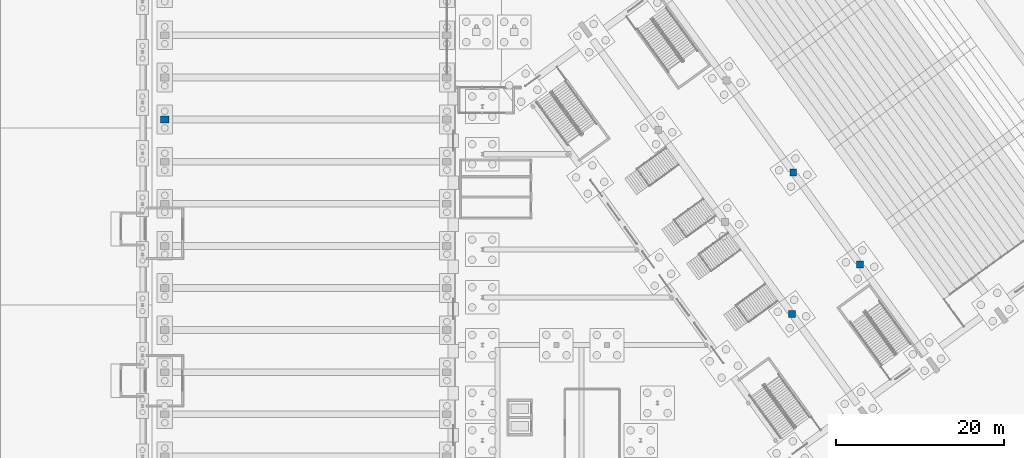
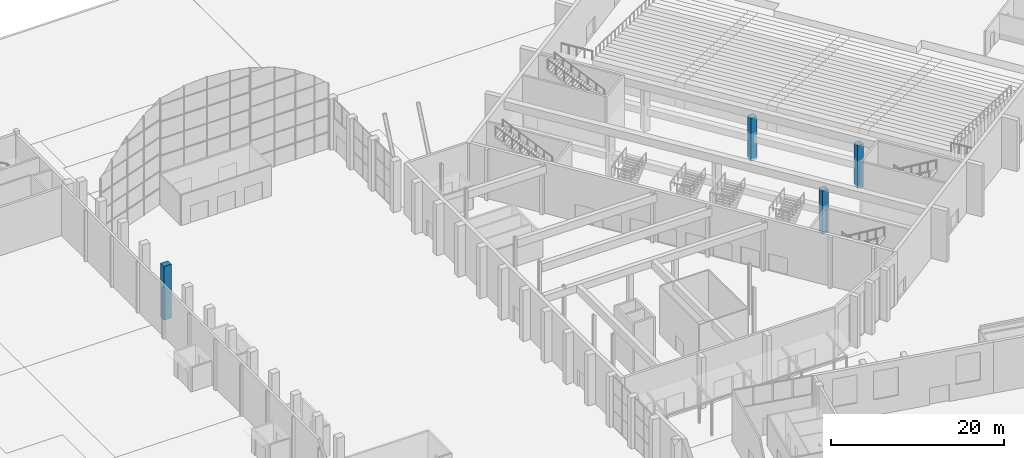
# One storey, part 43 of 239: 4 columns.
"""IFC4 building model written with IfcOpenShell, lengths in metres."""

import ifcopenshell
import ifcopenshell.guid

model = None  # the IFC model being written
_history = None  # IfcOwnerHistory: only IFC2X3 demands one
_inside = {}  # id of a spatial element -> (the spatial element, [elements in it])
_under = {}  # id of a project, library or spatial element -> (it, [spatial elements below it])
_declared = {}  # id of a project -> (the project, [libraries it declares])
_typed = {}  # id of a type object -> (the type object, [elements of that type])
_made_of = {}  # id of a material, layer set ... -> (it, [elements and type objects made of it])


def new_model(schema):
    """Start an empty IFC model of exactly this schema.

    Asked for "IFC4X3", IfcOpenShell would pick the latest addendum, in which some entities
    have other attributes; the version numbers below select the first issue.
    IFC2X3 requires an IfcOwnerHistory on every rooted entity: one is made here for all.
    """
    global model, _history
    if schema == "IFC4X3":
        model = ifcopenshell.file(schema_version=(4, 3, 0, 0))
    else:
        model = ifcopenshell.file(schema=schema)
    _inside.clear()
    _under.clear()
    _declared.clear()
    _typed.clear()
    _made_of.clear()
    _history = None
    if model.schema == "IFC2X3":
        org = make("IfcOrganization", Name="unknown")
        user = make(
            "IfcPersonAndOrganization",
            ThePerson=make("IfcPerson", FamilyName="unknown"),
            TheOrganization=org,
        )
        app = make(
            "IfcApplication",
            ApplicationDeveloper=org,
            Version="unknown",
            ApplicationFullName="unknown",
            ApplicationIdentifier="unknown",
        )
        _history = make(
            "IfcOwnerHistory",
            OwningUser=user,
            OwningApplication=app,
            ChangeAction="ADDED",
            CreationDate=0,
        )
    return model


def make(cls, **values):
    """One entity of the class cls with the attributes given. An attribute that is None is left unset."""
    return model.create_entity(
        cls, **{name: value for name, value in values.items() if value is not None}
    )


def rooted(cls, **values):
    """An entity with a GlobalId (a new one), such as an element, a storey or a relation."""
    return make(cls, GlobalId=ifcopenshell.guid.new(), OwnerHistory=_history, **values)


def si_unit(unit_type, name, prefix=None):
    """IfcSIUnit, for example si_unit("LENGTHUNIT", "METRE", prefix="MILLI")."""
    return make("IfcSIUnit", UnitType=unit_type, Prefix=prefix, Name=name)


def assignment(units):
    """IfcUnitAssignment: the units of a project."""
    return None if units is None else make("IfcUnitAssignment", Units=units)


def point(xyz):
    """IfcCartesianPoint."""
    return None if xyz is None else make("IfcCartesianPoint", Coordinates=xyz)


def direction(xyz):
    """IfcDirection."""
    return None if xyz is None else make("IfcDirection", DirectionRatios=xyz)


def frame(location, z_axis=None, x_axis=None):
    """IfcAxis2Placement3D, a coordinate frame: its origin and axes. An axis left out is left unset."""
    return make(
        "IfcAxis2Placement3D",
        Location=point(location),
        Axis=direction(z_axis),
        RefDirection=direction(x_axis),
    )


def frame_2d(location, x_axis=None):
    """IfcAxis2Placement2D, a coordinate frame in the plane: its origin and x axis."""
    return make(
        "IfcAxis2Placement2D", Location=point(location), RefDirection=direction(x_axis)
    )


def origin():
    """The frame at (0, 0, 0) with its axes left unset."""
    return frame((0.0, 0.0, 0.0))


def origin_2d():
    """The frame at (0, 0) in the plane with its x axis left unset."""
    return frame_2d((0.0, 0.0))


def place(relative_to, where):
    """IfcLocalPlacement: puts the frame where relative to a parent placement (None: the world)."""
    return make(
        "IfcLocalPlacement", PlacementRelTo=relative_to, RelativePlacement=where
    )


def context(
    kind, dimensions, precision=None, world=None, true_north=None, identifier=None
):
    """IfcGeometricRepresentationContext, for example the 3D "Model" context."""
    return make(
        "IfcGeometricRepresentationContext",
        ContextIdentifier=identifier,
        ContextType=kind,
        CoordinateSpaceDimension=dimensions,
        Precision=precision,
        WorldCoordinateSystem=world,
        TrueNorth=true_north,
    )


def subcontext(parent, identifier, kind, view, scale=None):
    """IfcGeometricRepresentationSubContext, for example "Body" below "Model"."""
    return make(
        "IfcGeometricRepresentationSubContext",
        ContextIdentifier=identifier,
        ContextType=kind,
        ParentContext=parent,
        TargetScale=scale,
        TargetView=view,
    )


def project(units=None, contexts=None):
    """IfcProject with its units and contexts."""
    return rooted(
        "IfcProject",
        Name="project",
        RepresentationContexts=contexts,
        UnitsInContext=assignment(units),
    )


def spatial(cls, under=None, at=None, **own):
    """A site, building, storey or space (cls), placed at a placement, below another one or the project."""
    s = rooted(cls, ObjectPlacement=at, **own)
    if under is not None:
        _under.setdefault(under.id(), (under, []))[1].append(s)
    return s


def profile(cls, at=None, kind="AREA", **sizes):
    """A parametric profile (cls). Its sizes go by their IFC names, for example OverallWidth=200.0."""
    return make(cls, ProfileType=kind, Position=at, **sizes)


def rectangle(**sizes):
    """IfcRectangleProfileDef."""
    return profile("IfcRectangleProfileDef", **sizes)


def extrude(swept, where, along, depth):
    """IfcExtrudedAreaSolid: the profile swept, set in the frame where, extruded along a direction by depth."""
    return make(
        "IfcExtrudedAreaSolid",
        SweptArea=swept,
        Position=where,
        ExtrudedDirection=direction(along),
        Depth=depth,
    )


def shape(context_of_items, identifier, shape_type, items):
    """IfcShapeRepresentation: the items that make up one representation, for example the "Body"."""
    return make(
        "IfcShapeRepresentation",
        ContextOfItems=context_of_items,
        RepresentationIdentifier=identifier,
        RepresentationType=shape_type,
        Items=items,
    )


def material(Name=None, Category=None):
    """IfcMaterial."""
    return make("IfcMaterial", Name=Name, Category=Category)


def material_profile(
    of_material, cross_section, Name=None, Category=None, Priority=None
):
    """IfcMaterialProfile: a cross section and its material."""
    return make(
        "IfcMaterialProfile",
        Name=Name,
        Material=of_material,
        Profile=cross_section,
        Priority=Priority,
        Category=Category,
    )


def profile_set(profiles, Name=None, composite=None):
    """IfcMaterialProfileSet."""
    return make(
        "IfcMaterialProfileSet",
        Name=Name,
        MaterialProfiles=profiles,
        CompositeProfile=composite,
    )


def made_of(thing, what):
    """Note that an element or type object is made of a material, layer set ...; save() writes the relation."""
    if what is not None:
        _made_of.setdefault(what.id(), (what, []))[1].append(thing)
    return thing


def type_object(cls, material=None, **own):
    """A type object (cls), such as IfcWallType, which elements share."""
    return made_of(rooted(cls, **own), material)


def element(
    cls,
    number,
    at=None,
    inside=None,
    cuts=None,
    type_object=None,
    material=None,
    context=None,
    identifier="Body",
    shape_type=None,
    held_by="IfcProductDefinitionShape",
    body=None,
    shapes=None,
    **own,
):
    """One element of the class cls, such as IfcWall. Its Tag is "e" and its number.

    at: its placement. inside: the storey or other place that contains it. cuts: it is an
    opening in that element (IfcRelVoidsElement). A single representation is given by context,
    identifier, shape_type and body (its items); several are given by shapes. held_by: the class
    of the entity that holds the representations. save() writes the other relations.
    """
    e = rooted(cls, Tag="e%d" % number, ObjectPlacement=at, **own)
    if body is not None:
        shapes = [shape(context, identifier, shape_type, body)]
    if shapes is not None:
        e.Representation = make(held_by, Representations=shapes)
    if inside is not None:
        _inside.setdefault(inside.id(), (inside, []))[1].append(e)
    if cuts is not None:
        rooted(
            "IfcRelVoidsElement", RelatingBuildingElement=cuts, RelatedOpeningElement=e
        )
    if type_object is not None:
        _typed.setdefault(type_object.id(), (type_object, []))[1].append(e)
    return made_of(e, material)


def aggregate(whole, parts):
    """IfcRelAggregates: a whole, such as a stair, and the parts it consists of."""
    return rooted("IfcRelAggregates", RelatingObject=whole, RelatedObjects=parts)


def save(model, path):
    """Write the relations noted so far, then the file.

    IfcRelAggregates (storeys below a building ...), IfcRelContainedInSpatialStructure (elements
    in a storey), IfcRelDefinesByType, IfcRelAssociatesMaterial and IfcRelDeclares: one each for
    every whole, place, type object, material and project.
    """
    for whole, parts in _under.values():
        aggregate(whole, parts)
    for where, things in _inside.values():
        rooted(
            "IfcRelContainedInSpatialStructure",
            RelatedElements=things,
            RelatingStructure=where,
        )
    for kind, things in _typed.values():
        rooted("IfcRelDefinesByType", RelatedObjects=things, RelatingType=kind)
    for what, things in _made_of.values():
        rooted("IfcRelAssociatesMaterial", RelatedObjects=things, RelatingMaterial=what)
    for by, libraries in _declared.values():
        rooted("IfcRelDeclares", RelatingContext=by, RelatedDefinitions=libraries)
    model.write(path)


model = new_model("IFC4")

# Units and contexts
model_context = context("Model", 3, precision=1e-05, world=origin(), true_north=direction((0.0, 1.0)))
body_context = subcontext(model_context, "Body", "Model", "MODEL_VIEW")
ifc_project = project(units=[si_unit("LENGTHUNIT", "METRE"), si_unit("AREAUNIT", "SQUARE_METRE"), si_unit("VOLUMEUNIT", "CUBIC_METRE"), si_unit("PLANEANGLEUNIT", "RADIAN"), si_unit("MASSUNIT", "GRAM", prefix="KILO")], contexts=[model_context])

# Site, building, storey
site_placement = place(None, origin())
site = spatial("IfcSite", under=ifc_project, at=site_placement, CompositionType="ELEMENT")
building_placement = place(site_placement, origin())
building = spatial("IfcBuilding", under=site, at=building_placement, Name="Okhra Congress Centre", CompositionType="ELEMENT")
storey_placement = place(building_placement, origin())
storey = spatial("IfcBuildingStorey", under=building, at=storey_placement, Name="L00", CompositionType="ELEMENT", Elevation=0.0)

# Columns
ifc_material_1 = material(Name="Concrete C35/45", Category="concrete")
ifc_material_profile_1 = material_profile(ifc_material_1, rectangle(XDim=0.800048828125, YDim=0.800048828125, at=origin_2d()), Name="RC column 800x800")
ifc_profile_set_1 = profile_set([ifc_material_profile_1], Name="Concrete C35/45")
column_type_1 = type_object("IfcColumnType", Name="RC column 800x800", PredefinedType="COLUMN", material=ifc_profile_set_1)
for number, where, z_axis, x_axis, name in (
    (1, (229.965576171875, 172.908447265625, -0.300048828125), (0.0, 0.0, 1.0), (1.0, 0.0, 0.0), "Balcony column 1"),
    (2, (238.0556640625, 178.786376953125, -0.300048828125), (0.0, 0.0, 1.0), (1.0, 0.0, 0.0), "Balcony column 4"),
    (3, (230.12060546875, 189.7080078125, -0.300048828125), (0.0, 0.0, 1.0), (1.0, 0.0, 0.0), "Balcony column 5"),
):
    element("IfcColumn", number, at=place(storey_placement, frame(where, z_axis=z_axis, x_axis=x_axis)), inside=storey, type_object=column_type_1, Name=name, PredefinedType="COLUMN", context=body_context, shape_type="SweptSolid", body=[
        extrude(rectangle(XDim=0.800048828125, YDim=0.800048828125, at=origin_2d()), origin(), (0.0, 0.0, 1.0), 6.050048828125),
    ])
ifc_material_2 = material(Name="Concrete C40/50", Category="concrete")
ifc_material_profile_2 = material_profile(ifc_material_2, rectangle(XDim=1.0, YDim=0.800048828125, at=origin_2d()), Name="RC 1000x800")
ifc_profile_set_2 = profile_set([ifc_material_profile_2], Name="Concrete C40/50")
column_type_2 = type_object("IfcColumnType", Name="RC pier 1000x800 C40/50", PredefinedType="COLUMN", material=ifc_profile_set_2)
column_placement = place(storey_placement, frame((155.5, 196.0, -0.39990234375), z_axis=(0.0, 0.0, 1.0), x_axis=(1.0, 0.0, 0.0)))
element("IfcColumn", 4, at=column_placement, inside=storey, type_object=column_type_2, Name="WG.COL.L00.pier-W24", PredefinedType="COLUMN", context=body_context, shape_type="SweptSolid", body=[
    extrude(rectangle(XDim=1.0, YDim=0.800048828125, at=origin_2d()), origin(), (0.0, 0.0, 1.0), 7.599853515625),
])

save(model, "model.ifc")
